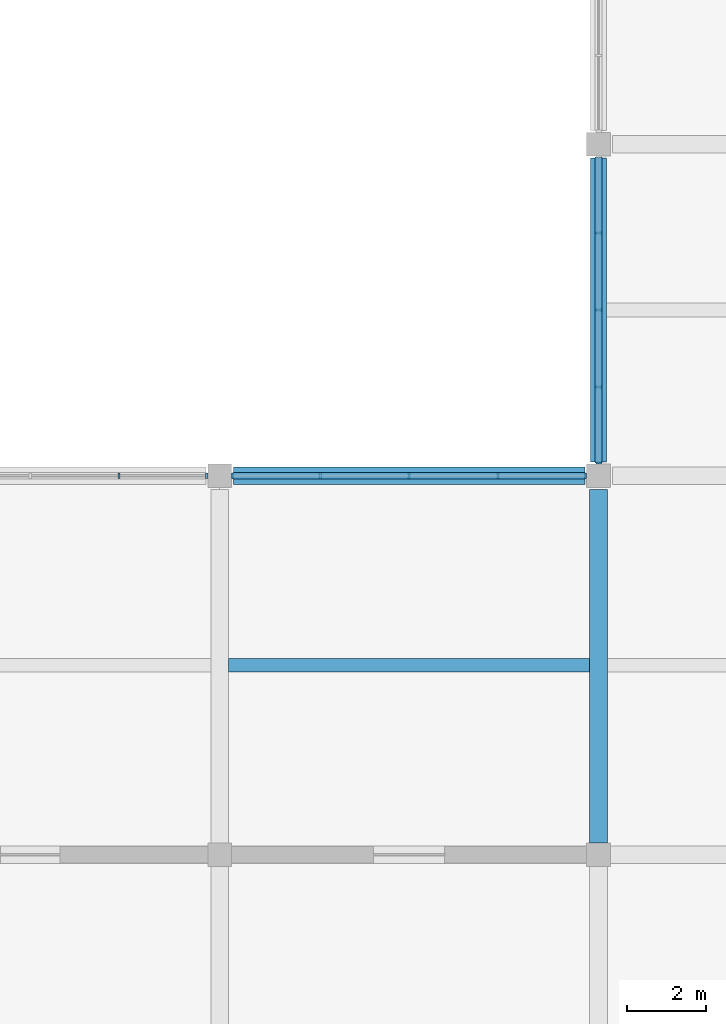
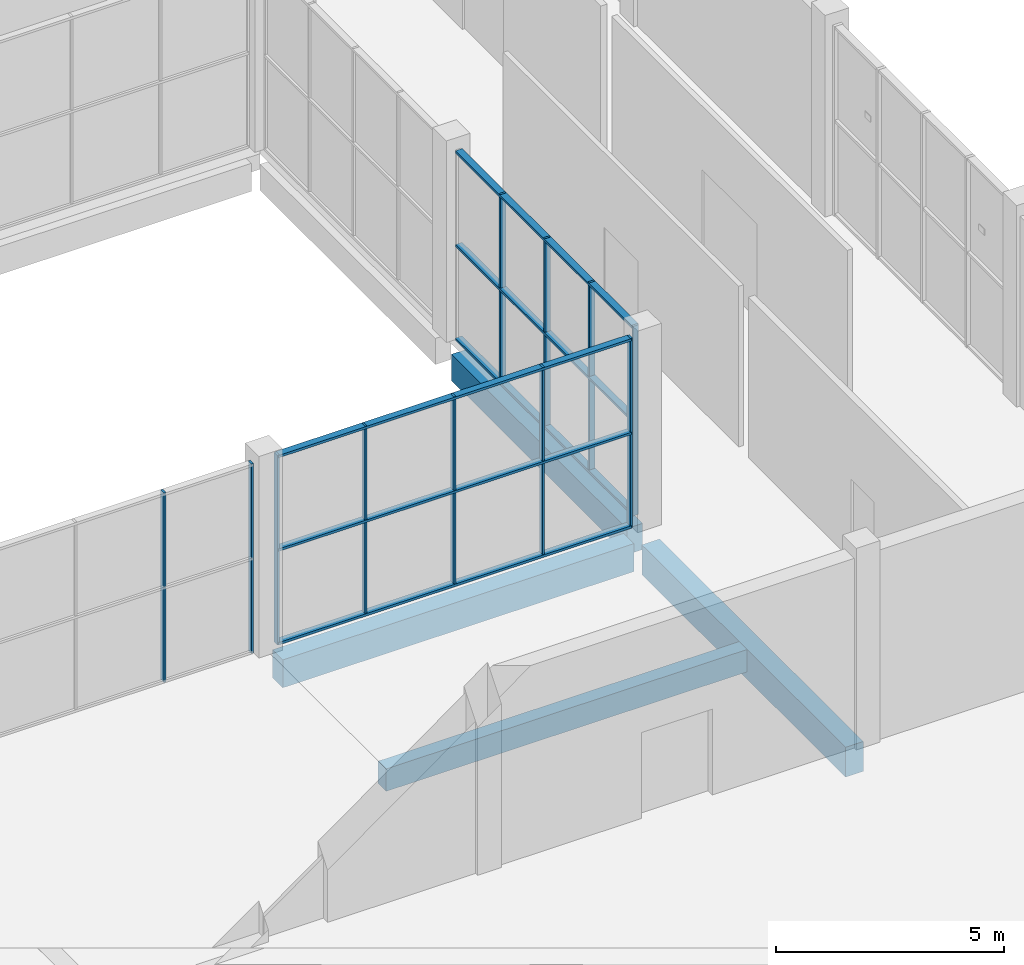
# One storey, part 22 of 83: 17 members, 4 beams, 3 elements without a shape of their own.
"""IFC4 building model written with IfcOpenShell, lengths in metres."""

import ifcopenshell
import ifcopenshell.guid

model = None  # the IFC model being written
_history = None  # IfcOwnerHistory: only IFC2X3 demands one
_inside = {}  # id of a spatial element -> (the spatial element, [elements in it])
_under = {}  # id of a project, library or spatial element -> (it, [spatial elements below it])
_declared = {}  # id of a project -> (the project, [libraries it declares])
_typed = {}  # id of a type object -> (the type object, [elements of that type])
_made_of = {}  # id of a material, layer set ... -> (it, [elements and type objects made of it])


def new_model(schema):
    """Start an empty IFC model of exactly this schema.

    Asked for "IFC4X3", IfcOpenShell would pick the latest addendum, in which some entities
    have other attributes; the version numbers below select the first issue.
    IFC2X3 requires an IfcOwnerHistory on every rooted entity: one is made here for all.
    """
    global model, _history
    if schema == "IFC4X3":
        model = ifcopenshell.file(schema_version=(4, 3, 0, 0))
    else:
        model = ifcopenshell.file(schema=schema)
    _inside.clear()
    _under.clear()
    _declared.clear()
    _typed.clear()
    _made_of.clear()
    _history = None
    if model.schema == "IFC2X3":
        org = make("IfcOrganization", Name="unknown")
        user = make(
            "IfcPersonAndOrganization",
            ThePerson=make("IfcPerson", FamilyName="unknown"),
            TheOrganization=org,
        )
        app = make(
            "IfcApplication",
            ApplicationDeveloper=org,
            Version="unknown",
            ApplicationFullName="unknown",
            ApplicationIdentifier="unknown",
        )
        _history = make(
            "IfcOwnerHistory",
            OwningUser=user,
            OwningApplication=app,
            ChangeAction="ADDED",
            CreationDate=0,
        )
    return model


def make(cls, **values):
    """One entity of the class cls with the attributes given. An attribute that is None is left unset."""
    return model.create_entity(
        cls, **{name: value for name, value in values.items() if value is not None}
    )


def rooted(cls, **values):
    """An entity with a GlobalId (a new one), such as an element, a storey or a relation."""
    return make(cls, GlobalId=ifcopenshell.guid.new(), OwnerHistory=_history, **values)


def si_unit(unit_type, name, prefix=None):
    """IfcSIUnit, for example si_unit("LENGTHUNIT", "METRE", prefix="MILLI")."""
    return make("IfcSIUnit", UnitType=unit_type, Prefix=prefix, Name=name)


def assignment(units):
    """IfcUnitAssignment: the units of a project."""
    return None if units is None else make("IfcUnitAssignment", Units=units)


def point(xyz):
    """IfcCartesianPoint."""
    return None if xyz is None else make("IfcCartesianPoint", Coordinates=xyz)


def direction(xyz):
    """IfcDirection."""
    return None if xyz is None else make("IfcDirection", DirectionRatios=xyz)


def frame(location, z_axis=None, x_axis=None):
    """IfcAxis2Placement3D, a coordinate frame: its origin and axes. An axis left out is left unset."""
    return make(
        "IfcAxis2Placement3D",
        Location=point(location),
        Axis=direction(z_axis),
        RefDirection=direction(x_axis),
    )


def frame_2d(location, x_axis=None):
    """IfcAxis2Placement2D, a coordinate frame in the plane: its origin and x axis."""
    return make(
        "IfcAxis2Placement2D", Location=point(location), RefDirection=direction(x_axis)
    )


def origin():
    """The frame at (0, 0, 0) with its axes left unset."""
    return frame((0.0, 0.0, 0.0))


def origin_2d():
    """The frame at (0, 0) in the plane with its x axis left unset."""
    return frame_2d((0.0, 0.0))


def place(relative_to, where):
    """IfcLocalPlacement: puts the frame where relative to a parent placement (None: the world)."""
    return make(
        "IfcLocalPlacement", PlacementRelTo=relative_to, RelativePlacement=where
    )


def context(
    kind, dimensions, precision=None, world=None, true_north=None, identifier=None
):
    """IfcGeometricRepresentationContext, for example the 3D "Model" context."""
    return make(
        "IfcGeometricRepresentationContext",
        ContextIdentifier=identifier,
        ContextType=kind,
        CoordinateSpaceDimension=dimensions,
        Precision=precision,
        WorldCoordinateSystem=world,
        TrueNorth=true_north,
    )


def subcontext(parent, identifier, kind, view, scale=None):
    """IfcGeometricRepresentationSubContext, for example "Body" below "Model"."""
    return make(
        "IfcGeometricRepresentationSubContext",
        ContextIdentifier=identifier,
        ContextType=kind,
        ParentContext=parent,
        TargetScale=scale,
        TargetView=view,
    )


def project(units=None, contexts=None):
    """IfcProject with its units and contexts."""
    return rooted(
        "IfcProject",
        Name="project",
        RepresentationContexts=contexts,
        UnitsInContext=assignment(units),
    )


def spatial(cls, under=None, at=None, **own):
    """A site, building, storey or space (cls), placed at a placement, below another one or the project."""
    s = rooted(cls, ObjectPlacement=at, **own)
    if under is not None:
        _under.setdefault(under.id(), (under, []))[1].append(s)
    return s


def profile(cls, at=None, kind="AREA", **sizes):
    """A parametric profile (cls). Its sizes go by their IFC names, for example OverallWidth=200.0."""
    return make(cls, ProfileType=kind, Position=at, **sizes)


def rectangle(**sizes):
    """IfcRectangleProfileDef."""
    return profile("IfcRectangleProfileDef", **sizes)


def extrude(swept, where, along, depth):
    """IfcExtrudedAreaSolid: the profile swept, set in the frame where, extruded along a direction by depth."""
    return make(
        "IfcExtrudedAreaSolid",
        SweptArea=swept,
        Position=where,
        ExtrudedDirection=direction(along),
        Depth=depth,
    )


def shape(context_of_items, identifier, shape_type, items):
    """IfcShapeRepresentation: the items that make up one representation, for example the "Body"."""
    return make(
        "IfcShapeRepresentation",
        ContextOfItems=context_of_items,
        RepresentationIdentifier=identifier,
        RepresentationType=shape_type,
        Items=items,
    )


def material(Name=None, Category=None):
    """IfcMaterial."""
    return make("IfcMaterial", Name=Name, Category=Category)


def material_profile(
    of_material, cross_section, Name=None, Category=None, Priority=None
):
    """IfcMaterialProfile: a cross section and its material."""
    return make(
        "IfcMaterialProfile",
        Name=Name,
        Material=of_material,
        Profile=cross_section,
        Priority=Priority,
        Category=Category,
    )


def profile_set(profiles, Name=None, composite=None):
    """IfcMaterialProfileSet."""
    return make(
        "IfcMaterialProfileSet",
        Name=Name,
        MaterialProfiles=profiles,
        CompositeProfile=composite,
    )


def made_of(thing, what):
    """Note that an element or type object is made of a material, layer set ...; save() writes the relation."""
    if what is not None:
        _made_of.setdefault(what.id(), (what, []))[1].append(thing)
    return thing


def type_object(cls, material=None, **own):
    """A type object (cls), such as IfcWallType, which elements share."""
    return made_of(rooted(cls, **own), material)


def element(
    cls,
    number,
    at=None,
    inside=None,
    cuts=None,
    type_object=None,
    material=None,
    context=None,
    identifier="Body",
    shape_type=None,
    held_by="IfcProductDefinitionShape",
    body=None,
    shapes=None,
    **own,
):
    """One element of the class cls, such as IfcWall. Its Tag is "e" and its number.

    at: its placement. inside: the storey or other place that contains it. cuts: it is an
    opening in that element (IfcRelVoidsElement). A single representation is given by context,
    identifier, shape_type and body (its items); several are given by shapes. held_by: the class
    of the entity that holds the representations. save() writes the other relations.
    """
    e = rooted(cls, Tag="e%d" % number, ObjectPlacement=at, **own)
    if body is not None:
        shapes = [shape(context, identifier, shape_type, body)]
    if shapes is not None:
        e.Representation = make(held_by, Representations=shapes)
    if inside is not None:
        _inside.setdefault(inside.id(), (inside, []))[1].append(e)
    if cuts is not None:
        rooted(
            "IfcRelVoidsElement", RelatingBuildingElement=cuts, RelatedOpeningElement=e
        )
    if type_object is not None:
        _typed.setdefault(type_object.id(), (type_object, []))[1].append(e)
    return made_of(e, material)


def aggregate(whole, parts):
    """IfcRelAggregates: a whole, such as a stair, and the parts it consists of."""
    return rooted("IfcRelAggregates", RelatingObject=whole, RelatedObjects=parts)


def save(model, path):
    """Write the relations noted so far, then the file.

    IfcRelAggregates (storeys below a building ...), IfcRelContainedInSpatialStructure (elements
    in a storey), IfcRelDefinesByType, IfcRelAssociatesMaterial and IfcRelDeclares: one each for
    every whole, place, type object, material and project.
    """
    for whole, parts in _under.values():
        aggregate(whole, parts)
    for where, things in _inside.values():
        rooted(
            "IfcRelContainedInSpatialStructure",
            RelatedElements=things,
            RelatingStructure=where,
        )
    for kind, things in _typed.values():
        rooted("IfcRelDefinesByType", RelatedObjects=things, RelatingType=kind)
    for what, things in _made_of.values():
        rooted("IfcRelAssociatesMaterial", RelatedObjects=things, RelatingMaterial=what)
    for by, libraries in _declared.values():
        rooted("IfcRelDeclares", RelatingContext=by, RelatedDefinitions=libraries)
    model.write(path)


model = new_model("IFC4")

# Units and contexts
model_context = context("Model", 3, precision=1e-05, world=origin(), true_north=direction((0.0, 1.0)))
body_context = subcontext(model_context, "Body", "Model", "MODEL_VIEW")
ifc_project = project(units=[si_unit("LENGTHUNIT", "METRE"), si_unit("AREAUNIT", "SQUARE_METRE"), si_unit("VOLUMEUNIT", "CUBIC_METRE"), si_unit("PLANEANGLEUNIT", "RADIAN"), si_unit("MASSUNIT", "GRAM", prefix="KILO")], contexts=[model_context])

# Site, building, storey
site_placement = place(None, origin())
site = spatial("IfcSite", under=ifc_project, at=site_placement, CompositionType="ELEMENT")
building_placement = place(site_placement, origin())
building = spatial("IfcBuilding", under=site, at=building_placement, Name="Shalvenor Court Art Gallery", CompositionType="ELEMENT")
storey_placement = place(building_placement, frame((0.0, 0.0, 6.0)))
storey = spatial("IfcBuildingStorey", under=building, at=storey_placement, Name="L01", CompositionType="ELEMENT", Elevation=6.0)

# Beams
ifc_material_1 = material(Name="Concrete C40/50", Category="concrete")
ifc_material_profile_1 = material_profile(ifc_material_1, rectangle(XDim=0.449951171875, YDim=0.800048828125, at=origin_2d()), Name="RC 450x800")
ifc_profile_set_1 = profile_set([ifc_material_profile_1], Name="Concrete C40/50")
beam_type_1 = type_object("IfcBeamType", Name="B-03", PredefinedType="BEAM", material=ifc_profile_set_1)
beam_1_placement = place(storey_placement, frame((28.800048828125, 79.5, -0.719970703125), z_axis=(0.0, 1.0, 0.0), x_axis=(-1.0, 0.0, 0.0)))
element("IfcBeam", 1, at=beam_1_placement, inside=storey, type_object=beam_type_1, Name="L01 Girder BM-L01-B-03-0383", PredefinedType="BEAM", context=body_context, shape_type="SweptSolid", body=[
    extrude(rectangle(XDim=0.449951171875, YDim=0.800048828125, at=origin_2d()), origin(), (0.0, 0.0, 1.0), 8.949951171875),
])
ifc_material_2 = material(Name="Concrete C40/50", Category="concrete")
ifc_material_profile_2 = material_profile(ifc_material_2, rectangle(XDim=0.449951171875, YDim=0.75, at=origin_2d()), Name="RC 450x750")
ifc_profile_set_2 = profile_set([ifc_material_profile_2], Name="Concrete C40/50")
beam_type_2 = type_object("IfcBeamType", Name="B-04", PredefinedType="BEAM", material=ifc_profile_set_2)
beam_2_placement = place(storey_placement, frame((19.550048828125, 88.800048828125, -0.695068359375), z_axis=(1.0, 0.0, 0.0), x_axis=(0.0, 1.0, 0.0)))
element("IfcBeam", 2, at=beam_2_placement, inside=storey, type_object=beam_type_2, Name="L01 Girder BM-L01-B-04-0574", PredefinedType="BEAM", context=body_context, shape_type="SweptSolid", body=[
    extrude(rectangle(XDim=0.449951171875, YDim=0.75, at=origin_2d()), origin(), (0.0, 0.0, 1.0), 8.89990234375),
])
ifc_material_3 = material(Name="Concrete C40/50", Category="concrete")
ifc_material_profile_3 = material_profile(ifc_material_3, rectangle(XDim=0.39990234375, YDim=0.699951171875, at=origin_2d()), Name="RC 400x700")
ifc_profile_set_3 = profile_set([ifc_material_profile_3], Name="Concrete C40/50")
beam_type_3 = type_object("IfcBeamType", Name="B-05", PredefinedType="BEAM", material=ifc_profile_set_3)
beam_3_placement = place(storey_placement, frame((28.800048828125, 89.14990234375, -0.669921875), z_axis=(0.0, 1.0, 0.0), x_axis=(-1.0, 0.0, 0.0)))
element("IfcBeam", 3, at=beam_3_placement, inside=storey, type_object=beam_type_3, Name="L01 Girder BM-L01-B-05-0384", PredefinedType="BEAM", context=body_context, shape_type="SweptSolid", body=[
    extrude(rectangle(XDim=0.39990234375, YDim=0.699951171875, at=origin_2d()), origin(), (0.0, 0.0, 1.0), 7.7001953125),
])

# Curtain wall, members
ifc_material_4 = material(Name="Anodised aluminium and low-iron glass curtain wall", Category="aluminium")
curtain_wall_type_1 = type_object("IfcCurtainWallType", Name="CW-CT-4-90", PredefinedType="USERDEFINED", material=ifc_material_4)
curtain_wall_1_placement = place(storey_placement, origin())
curtain_wall_1 = element("IfcCurtainWall", 4, at=curtain_wall_1_placement, inside=storey, type_object=curtain_wall_type_1, Name="L01 Studios Courtyard Curtain Wall CW-CRT-L01-173", ObjectType="CURTAIN WALL", PredefinedType="USERDEFINED")
ifc_material_5 = material(Name="Anodised aluminium mullion", Category="aluminium")
ifc_material_profile_4 = material_profile(ifc_material_5, rectangle(XDim=0.054931640625, YDim=0.139892578125, at=origin_2d()), Name="CWM-06")
ifc_profile_set_4 = profile_set([ifc_material_profile_4], Name="Anodised aluminium mullion")
member_type_1 = type_object("IfcMemberType", Name="CWM-06", PredefinedType="MULLION", material=ifc_profile_set_4)
member_1_placement = place(storey_placement, frame((16.64990234375, 88.800048828125, 0.0), z_axis=(0.0, 0.0, 1.0), x_axis=(1.0, 0.0, 0.0)))
member_1 = element("IfcMember", 5, at=member_1_placement, type_object=member_type_1, Name="CW-CT-4-90 mullion 4", PredefinedType="MULLION", context=body_context, shape_type="SweptSolid", body=[
    extrude(rectangle(XDim=0.054931640625, YDim=0.139892578125, at=origin_2d()), origin(), (0.0, 0.0, 1.0), 5.080078125),
])
member_2_placement = place(storey_placement, frame((18.87255859375, 88.800048828125, 0.0), z_axis=(0.0, 0.0, 1.0), x_axis=(1.0, 0.0, 0.0)))
member_2 = element("IfcMember", 6, at=member_2_placement, type_object=member_type_1, Name="CW-CT-4-90 mullion 5", PredefinedType="MULLION", context=body_context, shape_type="SweptSolid", body=[
    extrude(rectangle(XDim=0.054931640625, YDim=0.139892578125, at=origin_2d()), origin(), (0.0, 0.0, 1.0), 5.080078125),
])
aggregate(curtain_wall_1, [member_1, member_2])

curtain_wall_2_placement = place(storey_placement, origin())
curtain_wall_2 = element("IfcCurtainWall", 7, at=curtain_wall_2_placement, inside=storey, type_object=curtain_wall_type_1, Name="L01 Studios Courtyard Curtain Wall CW-CRT-L01-174", ObjectType="CURTAIN WALL", PredefinedType="USERDEFINED")
member_3_placement = place(storey_placement, frame((19.527587890625, 88.800048828125, 0.0), z_axis=(0.0, 0.0, 1.0), x_axis=(1.0, 0.0, 0.0)))
member_3 = element("IfcMember", 8, at=member_3_placement, type_object=member_type_1, Name="CW-CT-4-90 mullion 1", PredefinedType="MULLION", context=body_context, shape_type="SweptSolid", body=[
    extrude(rectangle(XDim=0.054931640625, YDim=0.139892578125, at=origin_2d()), origin(), (0.0, 0.0, 1.0), 5.080078125),
])
member_4_placement = place(storey_placement, frame((21.75, 88.800048828125, 0.0), z_axis=(0.0, 0.0, 1.0), x_axis=(1.0, 0.0, 0.0)))
member_4 = element("IfcMember", 9, at=member_4_placement, type_object=member_type_1, Name="CW-CT-4-90 mullion 2", PredefinedType="MULLION", context=body_context, shape_type="SweptSolid", body=[
    extrude(rectangle(XDim=0.054931640625, YDim=0.139892578125, at=origin_2d()), origin(), (0.0, 0.0, 1.0), 5.080078125),
])
member_5_placement = place(storey_placement, frame((24.0, 88.800048828125, 0.0), z_axis=(0.0, 0.0, 1.0), x_axis=(1.0, 0.0, 0.0)))
member_5 = element("IfcMember", 10, at=member_5_placement, type_object=member_type_1, Name="CW-CT-4-90 mullion 3", PredefinedType="MULLION", context=body_context, shape_type="SweptSolid", body=[
    extrude(rectangle(XDim=0.054931640625, YDim=0.139892578125, at=origin_2d()), origin(), (0.0, 0.0, 1.0), 5.080078125),
])
member_6_placement = place(storey_placement, frame((26.25, 88.800048828125, 0.0), z_axis=(0.0, 0.0, 1.0), x_axis=(1.0, 0.0, 0.0)))
member_6 = element("IfcMember", 11, at=member_6_placement, type_object=member_type_1, Name="CW-CT-4-90 mullion 4", PredefinedType="MULLION", context=body_context, shape_type="SweptSolid", body=[
    extrude(rectangle(XDim=0.054931640625, YDim=0.139892578125, at=origin_2d()), origin(), (0.0, 0.0, 1.0), 5.080078125),
])
member_7_placement = place(storey_placement, frame((28.472412109375, 88.800048828125, 0.0), z_axis=(0.0, 0.0, 1.0), x_axis=(1.0, 0.0, 0.0)))
member_7 = element("IfcMember", 12, at=member_7_placement, type_object=member_type_1, Name="CW-CT-4-90 mullion 5", PredefinedType="MULLION", context=body_context, shape_type="SweptSolid", body=[
    extrude(rectangle(XDim=0.054931640625, YDim=0.139892578125, at=origin_2d()), origin(), (0.0, 0.0, 1.0), 5.080078125),
])

ifc_material_6 = material(Name="Anodised aluminium and low-iron glass curtain wall", Category="aluminium")
curtain_wall_type_2 = type_object("IfcCurtainWallType", Name="CW-CT-4-78", PredefinedType="USERDEFINED", material=ifc_material_6)
curtain_wall_3_placement = place(storey_placement, origin())
curtain_wall_3 = element("IfcCurtainWall", 13, at=curtain_wall_3_placement, inside=storey, type_object=curtain_wall_type_2, Name="L01 Studios Courtyard Curtain Wall CW-CRT-L01-175", ObjectType="CURTAIN WALL", PredefinedType="USERDEFINED")
member_8_placement = place(storey_placement, frame((28.800048828125, 89.12744140625, 0.0), z_axis=(0.0, 0.0, 1.0), x_axis=(0.0, 1.0, 0.0)))
member_8 = element("IfcMember", 14, at=member_8_placement, type_object=member_type_1, Name="CW-CT-4-78 mullion 1", PredefinedType="MULLION", context=body_context, shape_type="SweptSolid", body=[
    extrude(rectangle(XDim=0.054931640625, YDim=0.139892578125, at=origin_2d()), origin(), (0.0, 0.0, 1.0), 5.080078125),
])
member_9_placement = place(storey_placement, frame((28.800048828125, 91.050048828125, 0.0), z_axis=(0.0, 0.0, 1.0), x_axis=(0.0, 1.0, 0.0)))
member_9 = element("IfcMember", 15, at=member_9_placement, type_object=member_type_1, Name="CW-CT-4-78 mullion 2", PredefinedType="MULLION", context=body_context, shape_type="SweptSolid", body=[
    extrude(rectangle(XDim=0.054931640625, YDim=0.139892578125, at=origin_2d()), origin(), (0.0, 0.0, 1.0), 5.080078125),
])
member_10_placement = place(storey_placement, frame((28.800048828125, 93.0, 0.0), z_axis=(0.0, 0.0, 1.0), x_axis=(0.0, 1.0, 0.0)))
member_10 = element("IfcMember", 16, at=member_10_placement, type_object=member_type_1, Name="CW-CT-4-78 mullion 3", PredefinedType="MULLION", context=body_context, shape_type="SweptSolid", body=[
    extrude(rectangle(XDim=0.054931640625, YDim=0.139892578125, at=origin_2d()), origin(), (0.0, 0.0, 1.0), 5.080078125),
])
member_11_placement = place(storey_placement, frame((28.800048828125, 94.949951171875, 0.0), z_axis=(0.0, 0.0, 1.0), x_axis=(0.0, 1.0, 0.0)))
member_11 = element("IfcMember", 17, at=member_11_placement, type_object=member_type_1, Name="CW-CT-4-78 mullion 4", PredefinedType="MULLION", context=body_context, shape_type="SweptSolid", body=[
    extrude(rectangle(XDim=0.054931640625, YDim=0.139892578125, at=origin_2d()), origin(), (0.0, 0.0, 1.0), 5.080078125),
])

# Member
ifc_material_7 = material(Name="Anodised aluminium transom", Category="aluminium")
ifc_material_profile_5 = material_profile(ifc_material_7, rectangle(XDim=0.169921875, YDim=0.06494140625, at=origin_2d()), Name="CWT-02")
ifc_profile_set_5 = profile_set([ifc_material_profile_5], Name="Anodised aluminium transom")
member_type_2 = type_object("IfcMemberType", Name="CWT-02", PredefinedType="USERDEFINED", material=ifc_profile_set_5)
member_12_placement = place(storey_placement, frame((19.527587890625, 88.800048828125, 0.032470703125), z_axis=(1.0, 0.0, 0.0), x_axis=(0.0, 1.0, 0.0)))
member_12 = element("IfcMember", 18, at=member_12_placement, type_object=member_type_2, Name="CW-CT-4-90 transom 1", ObjectType="TRANSOM", PredefinedType="USERDEFINED", context=body_context, shape_type="SweptSolid", body=[
    extrude(rectangle(XDim=0.169921875, YDim=0.06494140625, at=origin_2d()), origin(), (0.0, 0.0, 1.0), 8.94482421875),
])

member_13_placement = place(storey_placement, frame((19.527587890625, 88.800048828125, 2.5400390625), z_axis=(1.0, 0.0, 0.0), x_axis=(0.0, 1.0, 0.0)))
member_13 = element("IfcMember", 19, at=member_13_placement, type_object=member_type_2, Name="CW-CT-4-90 transom 2", ObjectType="TRANSOM", PredefinedType="USERDEFINED", context=body_context, shape_type="SweptSolid", body=[
    extrude(rectangle(XDim=0.169921875, YDim=0.06494140625, at=origin_2d()), origin(), (0.0, 0.0, 1.0), 8.94482421875),
])

member_14_placement = place(storey_placement, frame((19.527587890625, 88.800048828125, 5.047607421875), z_axis=(1.0, 0.0, 0.0), x_axis=(0.0, 1.0, 0.0)))
member_14 = element("IfcMember", 20, at=member_14_placement, type_object=member_type_2, Name="CW-CT-4-90 transom 3", ObjectType="TRANSOM", PredefinedType="USERDEFINED", context=body_context, shape_type="SweptSolid", body=[
    extrude(rectangle(XDim=0.169921875, YDim=0.06494140625, at=origin_2d()), origin(), (0.0, 0.0, 1.0), 8.94482421875),
])

aggregate(curtain_wall_2, [member_3, member_4, member_5, member_6, member_7, member_12, member_13, member_14])

member_15_placement = place(storey_placement, frame((28.800048828125, 89.12744140625, 0.032470703125), z_axis=(0.0, 1.0, 0.0), x_axis=(-1.0, 0.0, 0.0)))
member_15 = element("IfcMember", 21, at=member_15_placement, type_object=member_type_2, Name="CW-CT-4-78 transom 1", ObjectType="TRANSOM", PredefinedType="USERDEFINED", context=body_context, shape_type="SweptSolid", body=[
    extrude(rectangle(XDim=0.169921875, YDim=0.06494140625, at=origin_2d()), origin(), (0.0, 0.0, 1.0), 7.7451171875),
])

member_16_placement = place(storey_placement, frame((28.800048828125, 89.12744140625, 2.5400390625), z_axis=(0.0, 1.0, 0.0), x_axis=(-1.0, 0.0, 0.0)))
member_16 = element("IfcMember", 22, at=member_16_placement, type_object=member_type_2, Name="CW-CT-4-78 transom 2", ObjectType="TRANSOM", PredefinedType="USERDEFINED", context=body_context, shape_type="SweptSolid", body=[
    extrude(rectangle(XDim=0.169921875, YDim=0.06494140625, at=origin_2d()), origin(), (0.0, 0.0, 1.0), 7.7451171875),
])

member_17_placement = place(storey_placement, frame((28.800048828125, 89.12744140625, 5.047607421875), z_axis=(0.0, 1.0, 0.0), x_axis=(-1.0, 0.0, 0.0)))
member_17 = element("IfcMember", 23, at=member_17_placement, type_object=member_type_2, Name="CW-CT-4-78 transom 3", ObjectType="TRANSOM", PredefinedType="USERDEFINED", context=body_context, shape_type="SweptSolid", body=[
    extrude(rectangle(XDim=0.169921875, YDim=0.06494140625, at=origin_2d()), origin(), (0.0, 0.0, 1.0), 7.7451171875),
])

aggregate(curtain_wall_3, [member_8, member_9, member_10, member_11, member_15, member_16, member_17])

# Beam
ifc_material_8 = material(Name="Concrete C40/50", Category="concrete")
ifc_material_profile_6 = material_profile(ifc_material_8, rectangle(XDim=0.35009765625, YDim=0.60009765625, at=origin_2d()), Name="RC 350x600")
ifc_profile_set_6 = profile_set([ifc_material_profile_6], Name="Concrete C40/50")
beam_type_4 = type_object("IfcBeamType", Name="J-01", PredefinedType="JOIST", material=ifc_profile_set_6)
beam_4_placement = place(storey_placement, frame((19.425048828125, 84.0, -0.6201171875), z_axis=(1.0, 0.0, 0.0), x_axis=(0.0, 1.0, 0.0)))
element("IfcBeam", 24, at=beam_4_placement, inside=storey, type_object=beam_type_4, Name="L01 Secondary Beam JST-L01-J-01-0634", PredefinedType="JOIST", context=body_context, shape_type="SweptSolid", body=[
    extrude(rectangle(XDim=0.35009765625, YDim=0.60009765625, at=origin_2d()), origin(), (0.0, 0.0, 1.0), 9.14990234375),
])

save(model, "model.ifc")
